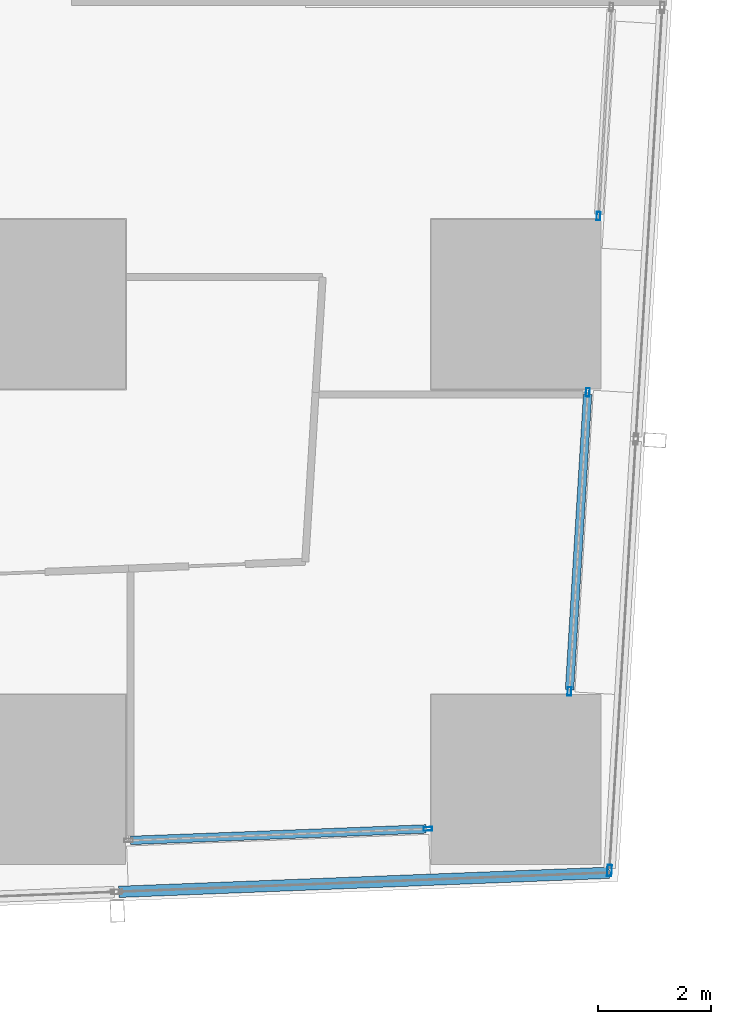
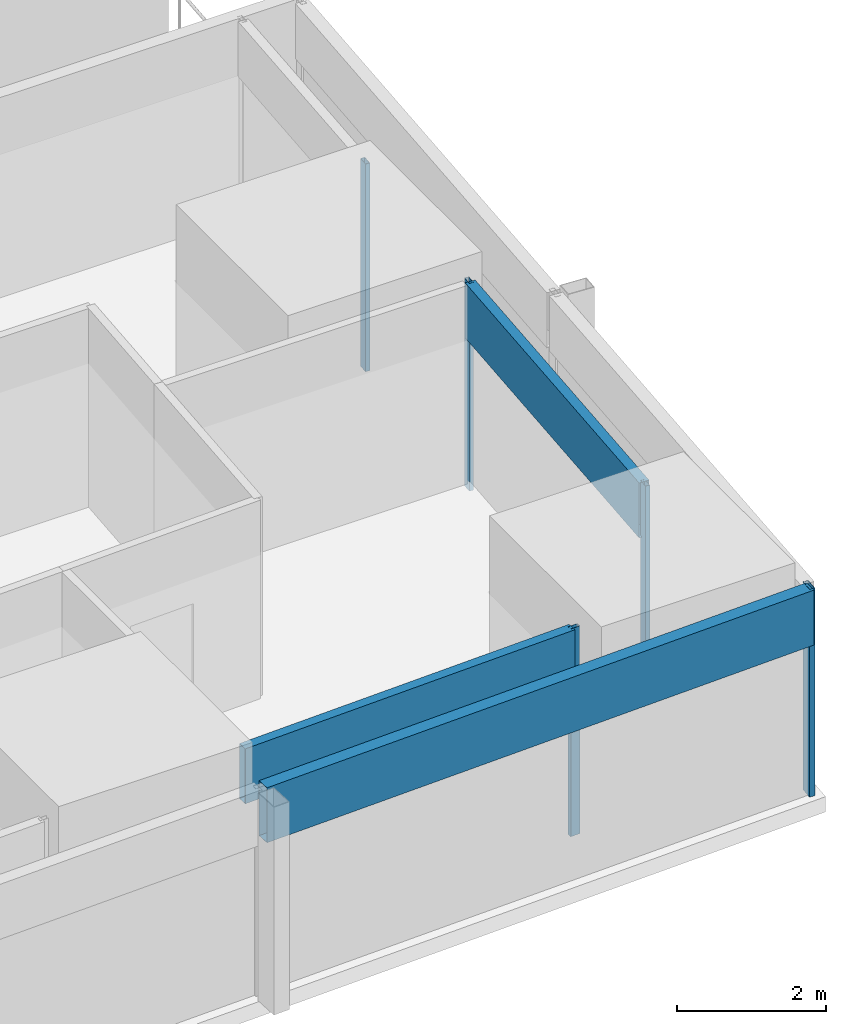
# One storey, part 12 of 38: 8 members, 5 elements without a shape of their own.
"""IFC4 building model written with IfcOpenShell, lengths in metres."""

from ifc_helpers import new_model, si_unit, direction, frame, origin, origin_2d, place, context, subcontext, project, spatial, hollow_rectangle, extrude, material, material_profile, profile_set, type_object, element, aggregate, save


model = new_model("IFC4")

# Units and contexts
model_context = context("Model", 3, precision=1e-05, world=origin(), true_north=direction((0.0, 1.0)))
body_context = subcontext(model_context, "Body", "Model", "MODEL_VIEW")
ifc_project = project(units=[si_unit("LENGTHUNIT", "METRE"), si_unit("AREAUNIT", "SQUARE_METRE"), si_unit("VOLUMEUNIT", "CUBIC_METRE"), si_unit("PLANEANGLEUNIT", "RADIAN"), si_unit("MASSUNIT", "GRAM", prefix="KILO")], contexts=[model_context])

# Site, building, storey
site_placement = place(None, origin())
site = spatial("IfcSite", under=ifc_project, at=site_placement, CompositionType="ELEMENT")
building_placement = place(site_placement, origin())
building = spatial("IfcBuilding", under=site, at=building_placement, Name="Rekha Terrace Tower", CompositionType="ELEMENT")
storey_placement = place(building_placement, frame((0.0, 0.0, 159.050048828125)))
storey = spatial("IfcBuildingStorey", under=building, at=storey_placement, Name="L40", CompositionType="ELEMENT", Elevation=159.050048828125)

# Curtain wall, member
ifc_material_1 = material(Name="Aluminium framing", Category="aluminium")
curtain_wall_type_1 = type_object("IfcCurtainWallType", Name="CW1 double skin inner glazing", PredefinedType="USERDEFINED", material=ifc_material_1)
curtain_wall_1_placement = place(storey_placement, origin())
curtain_wall_1 = element("IfcCurtainWall", 1, at=curtain_wall_1_placement, inside=storey, type_object=curtain_wall_type_1, Name="CW1 double skin inner glazing", ObjectType="DOUBLE SKIN INNER GLAZING", PredefinedType="USERDEFINED")
ifc_material_2 = material(Name="Aluminium mullion section", Category="aluminium")
ifc_material_profile_1 = material_profile(ifc_material_2, hollow_rectangle(XDim=0.06494140625, YDim=0.14990234375, WallThickness=0.00390625, at=origin_2d()), Name="AL RHS 65x150")
ifc_profile_set_1 = profile_set([ifc_material_profile_1], Name="Aluminium mullion section")
member_type_1 = type_object("IfcMemberType", Name="CW1 mullion RHS 65 x 150", PredefinedType="MULLION", material=ifc_profile_set_1)
member_1_placement = place(storey_placement, frame((65.643798828125, 15.93017578125, 0.0), z_axis=(0.0, 0.0, 1.0), x_axis=(-0.038889971328, 0.999243498918, 0.0)))
member_1 = element("IfcMember", 2, at=member_1_placement, type_object=member_type_1, Name="CW1 mullion 2", PredefinedType="MULLION", context=body_context, shape_type="SweptSolid", body=[
    extrude(hollow_rectangle(XDim=0.06494140625, YDim=0.14990234375, WallThickness=0.00390625, at=origin_2d()), origin(), (0.0, 0.0, 1.0), 3.39990234375),
])

# Curtain wall, members
curtain_wall_2_placement = place(storey_placement, origin())
curtain_wall_2 = element("IfcCurtainWall", 3, at=curtain_wall_2_placement, inside=storey, type_object=curtain_wall_type_1, Name="CW1 double skin inner glazing", ObjectType="DOUBLE SKIN INNER GLAZING", PredefinedType="USERDEFINED")
member_2_placement = place(storey_placement, frame((68.143798828125, 18.358154296875, 0.0), z_axis=(0.0, 0.0, 1.0), x_axis=(-0.998127987022, 0.061159803166, 0.0)))
member_2 = element("IfcMember", 4, at=member_2_placement, type_object=member_type_1, Name="CW1 mullion 1", PredefinedType="MULLION", context=body_context, shape_type="SweptSolid", body=[
    extrude(hollow_rectangle(XDim=0.06494140625, YDim=0.14990234375, WallThickness=0.00390625, at=origin_2d()), origin(), (0.0, 0.0, 1.0), 3.39990234375),
])
member_3_placement = place(storey_placement, frame((68.467529296875, 23.641845703125, 0.0), z_axis=(0.0, 0.0, 1.0), x_axis=(-0.998127987022, 0.061159803166, 0.0)))
member_3 = element("IfcMember", 5, at=member_3_placement, type_object=member_type_1, Name="CW1 mullion 2", PredefinedType="MULLION", context=body_context, shape_type="SweptSolid", body=[
    extrude(hollow_rectangle(XDim=0.06494140625, YDim=0.14990234375, WallThickness=0.00390625, at=origin_2d()), origin(), (0.0, 0.0, 1.0), 3.39990234375),
])

# Curtain wall, member
curtain_wall_3_placement = place(storey_placement, origin())
curtain_wall_3 = element("IfcCurtainWall", 6, at=curtain_wall_3_placement, inside=storey, type_object=curtain_wall_type_1, Name="CW1 double skin inner glazing", ObjectType="DOUBLE SKIN INNER GLAZING", PredefinedType="USERDEFINED")
member_4_placement = place(storey_placement, frame((68.658203125, 26.755126953125, 0.0), z_axis=(0.0, 0.0, 1.0), x_axis=(-0.998127987026, 0.061159803096, 0.0)))
member_4 = element("IfcMember", 7, at=member_4_placement, type_object=member_type_1, Name="CW1 mullion 1", PredefinedType="MULLION", context=body_context, shape_type="SweptSolid", body=[
    extrude(hollow_rectangle(XDim=0.06494140625, YDim=0.14990234375, WallThickness=0.00390625, at=origin_2d()), origin(), (0.0, 0.0, 1.0), 3.39990234375),
])
aggregate(curtain_wall_3, [member_4])

# Member
ifc_material_3 = material(Name="Insulated aluminium spandrel box", Category="aluminium")
ifc_material_profile_2 = material_profile(ifc_material_3, hollow_rectangle(XDim=0.14990234375, YDim=0.89990234375, WallThickness=0.0029296875, at=origin_2d()), Name="AL SPANDREL BOX 150x900")
ifc_profile_set_2 = profile_set([ifc_material_profile_2], Name="Insulated aluminium spandrel box")
member_type_2 = type_object("IfcMemberType", Name="CW1 spandrel transom 150 x 900", PredefinedType="USERDEFINED", material=ifc_profile_set_2)
member_5_placement = place(storey_placement, frame((60.388671875, 15.7255859375, 2.949951171875), z_axis=(0.999242707462, 0.038910301763, 0.0), x_axis=(-0.038910301763, 0.999242707462, 0.0)))
member_5 = element("IfcMember", 8, at=member_5_placement, type_object=member_type_2, Name="CW1 spandrel transom 1", ObjectType="TRANSOM", PredefinedType="USERDEFINED", context=body_context, shape_type="SweptSolid", body=[
    extrude(hollow_rectangle(XDim=0.14990234375, YDim=0.89990234375, WallThickness=0.0029296875, at=origin_2d()), origin(), (0.0, 0.0, 1.0), 5.2265625),
])

aggregate(curtain_wall_1, [member_1, member_5])

member_6_placement = place(storey_placement, frame((68.145751953125, 18.390625, 2.949951171875), z_axis=(0.061168924531, 0.998127428073, 0.0), x_axis=(-0.998127428073, 0.061168924531, 0.0)))
member_6 = element("IfcMember", 9, at=member_6_placement, type_object=member_type_2, Name="CW1 spandrel transom 1", ObjectType="TRANSOM", PredefinedType="USERDEFINED", context=body_context, shape_type="SweptSolid", body=[
    extrude(hollow_rectangle(XDim=0.14990234375, YDim=0.89990234375, WallThickness=0.0029296875, at=origin_2d()), origin(), (0.0, 0.0, 1.0), 5.228515625),
])

aggregate(curtain_wall_2, [member_2, member_3, member_6])

# Curtain wall, member
curtain_wall_type_2 = type_object("IfcCurtainWallType", Name="CW2 double skin outer glazing", PredefinedType="USERDEFINED", material=ifc_material_1)
curtain_wall_4_placement = place(storey_placement, origin())
curtain_wall_4 = element("IfcCurtainWall", 10, at=curtain_wall_4_placement, inside=storey, type_object=curtain_wall_type_2, Name="CW2 double skin outer glazing", ObjectType="DOUBLE SKIN OUTER GLAZING", PredefinedType="USERDEFINED")
ifc_material_profile_3 = material_profile(ifc_material_2, hollow_rectangle(XDim=0.080078125, YDim=0.199951171875, WallThickness=0.00390625, at=origin_2d()), Name="AL RHS 80x200")
ifc_profile_set_3 = profile_set([ifc_material_profile_3], Name="Aluminium mullion section")
member_type_3 = type_object("IfcMemberType", Name="CW2 mullion RHS 80 x 200", PredefinedType="MULLION", material=ifc_profile_set_3)
member_7_placement = place(storey_placement, frame((68.8515625, 15.194091796875, 0.0), z_axis=(0.0, 0.0, 1.0), x_axis=(-0.998127987023, 0.061159803148, 0.0)))
member_7 = element("IfcMember", 11, at=member_7_placement, type_object=member_type_3, Name="CW2 mullion 1", PredefinedType="MULLION", context=body_context, shape_type="SweptSolid", body=[
    extrude(hollow_rectangle(XDim=0.080078125, YDim=0.199951171875, WallThickness=0.00390625, at=origin_2d()), origin(), (0.0, 0.0, 1.0), 3.39990234375),
])
aggregate(curtain_wall_4, [member_7])

curtain_wall_5_placement = place(storey_placement, origin())
curtain_wall_5 = element("IfcCurtainWall", 12, at=curtain_wall_5_placement, inside=storey, type_object=curtain_wall_type_2, Name="CW2 double skin outer glazing", ObjectType="DOUBLE SKIN OUTER GLAZING", PredefinedType="USERDEFINED")
ifc_material_profile_4 = material_profile(ifc_material_3, hollow_rectangle(XDim=0.199951171875, YDim=0.89990234375, WallThickness=0.0029296875, at=origin_2d()), Name="AL SPANDREL BOX 200x900")
ifc_profile_set_4 = profile_set([ifc_material_profile_4], Name="Insulated aluminium spandrel box")
member_type_4 = type_object("IfcMemberType", Name="CW2 spandrel transom 200 x 900", PredefinedType="USERDEFINED", material=ifc_profile_set_4)
member_8_placement = place(storey_placement, frame((60.18408203125, 14.81689453125, 2.949951171875), z_axis=(0.99924276334, 0.038908866757, 0.0), x_axis=(-0.038908866757, 0.99924276334, 0.0)))
member_8 = element("IfcMember", 13, at=member_8_placement, type_object=member_type_4, Name="CW2 spandrel transom 5", ObjectType="TRANSOM", PredefinedType="USERDEFINED", context=body_context, shape_type="SweptSolid", body=[
    extrude(hollow_rectangle(XDim=0.199951171875, YDim=0.89990234375, WallThickness=0.0029296875, at=origin_2d()), origin(), (0.0, 0.0, 1.0), 8.671630859375),
])
aggregate(curtain_wall_5, [member_8])

save(model, "model.ifc")
